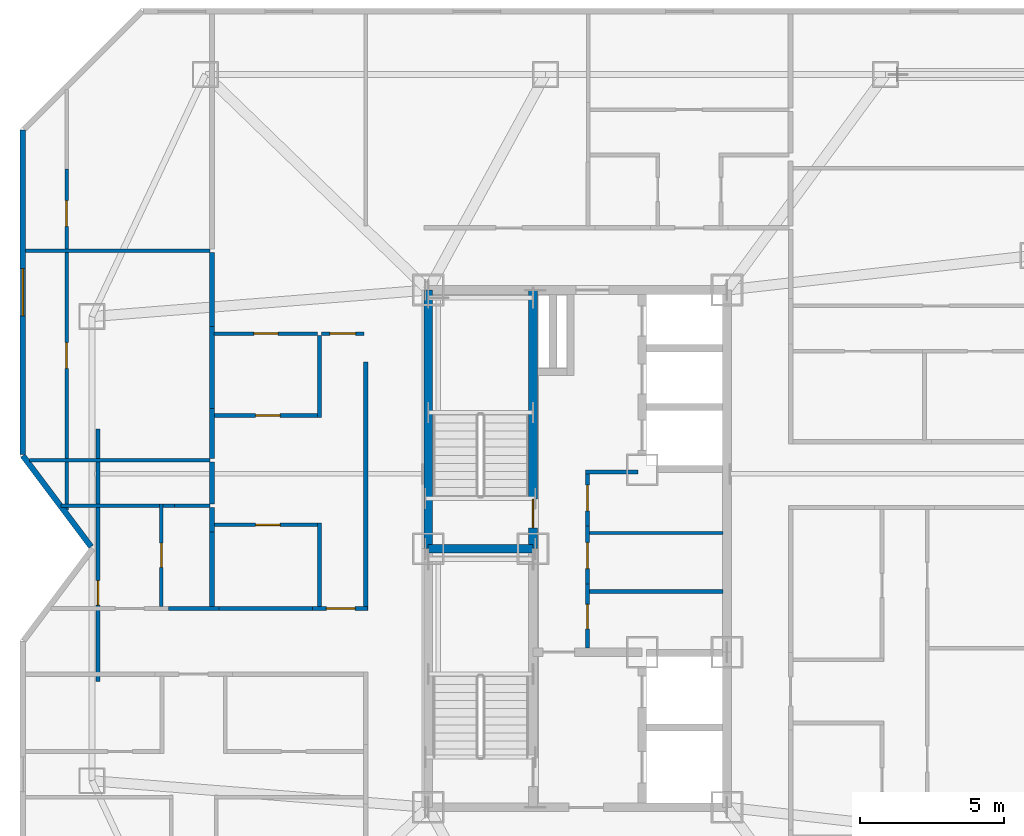
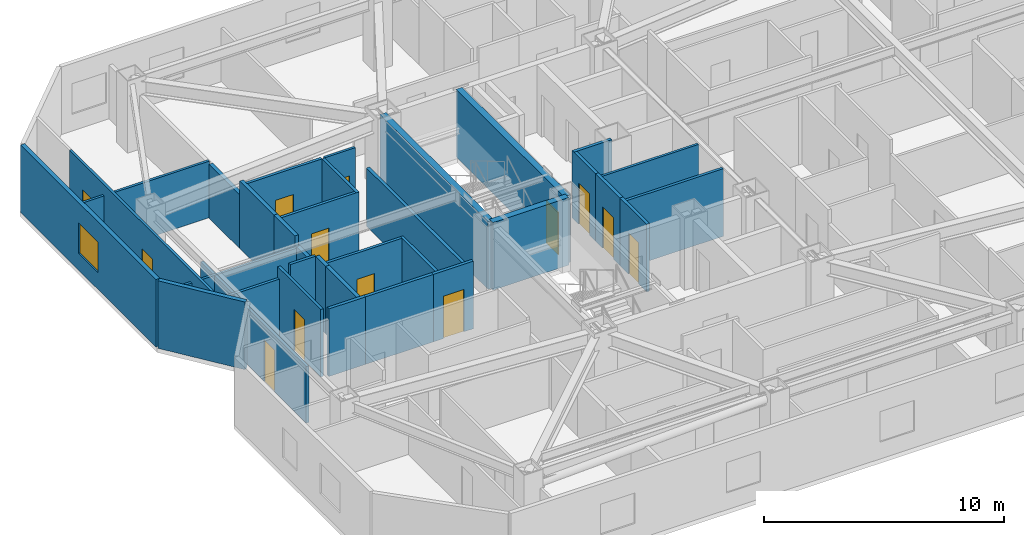
# One storey, part 7 of 11: 34 walls, 13 doors, 1 window, 14 openings.
"""IFC4 building model written with IfcOpenShell, lengths in metres."""

from ifc_helpers import new_model, si_unit, direction, frame, frame_2d, origin, place, context, subcontext, project, spatial, rectangle, extrude, material, layer, layer_set, type_object, element, fill, save


model = new_model("IFC4")

# Units and contexts
model_context = context("Model", 3, precision=1e-05, world=origin(), true_north=direction((0.0, 1.0)))
body_context = subcontext(model_context, "Body", "Model", "MODEL_VIEW")
ifc_project = project(units=[si_unit("LENGTHUNIT", "METRE"), si_unit("AREAUNIT", "SQUARE_METRE"), si_unit("VOLUMEUNIT", "CUBIC_METRE"), si_unit("PLANEANGLEUNIT", "RADIAN"), si_unit("MASSUNIT", "GRAM", prefix="KILO")], contexts=[model_context])

# Site, building, storey
site_placement = place(None, origin())
site = spatial("IfcSite", under=ifc_project, at=site_placement, CompositionType="ELEMENT")
building_placement = place(site_placement, origin())
building = spatial("IfcBuilding", under=site, at=building_placement, Name="Khamvora Tower", CompositionType="ELEMENT")
storey_placement = place(building_placement, frame((0.0, 0.0, 174.14990234375)))
storey = spatial("IfcBuildingStorey", under=building, at=storey_placement, Name="L44", CompositionType="ELEMENT", Elevation=174.14990234375)

# Wall
ifc_material_1 = material(Name="Concrete C50/60", Category="concrete")
ifc_layer_1 = layer(ifc_material_1, 0.300048828125)
ifc_layer_set_1 = layer_set([ifc_layer_1], Name="Concrete C50/60")
wall_type_1 = type_object("IfcWallType", Name="WAL-CORE-300", PredefinedType="SHEAR", material=ifc_layer_set_1)
wall_1_placement = place(storey_placement, frame((29.0, 28.0, 0.0), z_axis=(0.0, 0.0, 1.0), x_axis=(0.0, 1.0, 0.0)))
element("IfcWall", 1, at=wall_1_placement, inside=storey, type_object=wall_type_1, Name="L44 central core west north wall", PredefinedType="SHEAR", context=body_context, shape_type="SweptSolid", body=[
    extrude(rectangle(XDim=9.0, YDim=0.300048828125, at=frame_2d((4.5, 0.0))), origin(), (0.0, 0.0, 1.0), 3.43017578125),
])

# Wall, opening, door
wall_2_placement = place(storey_placement, frame((32.64990234375, 28.0, 0.0), z_axis=(0.0, 0.0, 1.0), x_axis=(0.0, 1.0, 0.0)))
wall_2 = element("IfcWall", 2, at=wall_2_placement, inside=storey, type_object=wall_type_1, Name="L44 central core stair north spine wall", PredefinedType="SHEAR", context=body_context, shape_type="SweptSolid", body=[
    extrude(rectangle(XDim=9.0, YDim=0.300048828125, at=frame_2d((4.5, 0.0))), origin(), (0.0, 0.0, 1.0), 3.43017578125),
])
opening_1_placement = place(wall_2_placement, frame((0.719970703125, 0.0, 0.0)))
opening_1 = element("IfcOpeningElement", 3, at=opening_1_placement, cuts=wall_2, Name="Opening D-ST1", PredefinedType="OPENING", context=body_context, shape_type="SweptSolid", body=[
    extrude(rectangle(XDim=1.0, YDim=2.14990234375, at=frame_2d((0.5, 1.074951171875))), frame((0.0, 0.159912109375, 0.0), z_axis=(0.0, -1.0, 0.0), x_axis=(1.0, 0.0, 0.0)), (0.0, 0.0, 1.0), 0.320068359375),
])
ifc_material_2 = material(Name="Powder-Coated Steel and Hardwood Leaf", Category="steel")
door_type_1 = type_object("IfcDoorType", Name="DOR-STAIR-1000", OperationType="NOTDEFINED", PredefinedType="DOOR", material=ifc_material_2)
door_1_placement = place(opening_1_placement, origin())
door_1 = element("IfcDoor", 4, at=door_1_placement, inside=storey, type_object=door_type_1, Name="L44 exit stair ST-02 fire door", OperationType="SINGLE_SWING_RIGHT", OverallHeight=2.14990234375, OverallWidth=1.0, PredefinedType="DOOR", context=body_context, shape_type="SweptSolid", body=[
    extrude(rectangle(XDim=1.0, YDim=2.14990234375, at=frame_2d((0.5, 1.074951171875))), frame((0.0, 0.02490234375, 0.0), z_axis=(0.0, -1.0, 0.0), x_axis=(1.0, 0.0, 0.0)), (0.0, 0.0, 1.0), 0.050048828125),
])
fill(opening_1, door_1)

# Wall
wall_3_placement = place(storey_placement, frame((29.0, 28.0, 0.0), z_axis=(0.0, 0.0, 1.0), x_axis=(1.0, 0.0, 0.0)))
element("IfcWall", 5, at=wall_3_placement, inside=storey, type_object=wall_type_1, Name="L44 central core stair cross wall", PredefinedType="SHEAR", context=body_context, shape_type="SweptSolid", body=[
    extrude(rectangle(XDim=3.64990234375, YDim=0.300048828125, at=frame_2d((1.824951171875, 0.0))), origin(), (0.0, 0.0, 1.0), 3.43017578125),
])

# Wall, opening, door
ifc_material_3 = material(Name="Fire-Rated Drywall and Steel Stud", Category="steel")
ifc_layer_2 = layer(ifc_material_3, 0.14990234375)
ifc_layer_set_2 = layer_set([ifc_layer_2], Name="Fire-Rated Drywall and Steel Stud")
wall_type_2 = type_object("IfcWallType", Name="WAL-CORR-150", PredefinedType="STANDARD", material=ifc_layer_set_2)
wall_4_placement = place(storey_placement, frame((34.544921875, 26.763916015625, 0.0), z_axis=(0.0, 0.0, 1.0), x_axis=(0.0, -1.0, 0.0)))
wall_4 = element("IfcWall", 6, at=wall_4_placement, inside=storey, type_object=wall_type_2, Name="L44 interior partition wall 001", PredefinedType="STANDARD", context=body_context, shape_type="SweptSolid", body=[
    extrude(rectangle(XDim=2.219970703125, YDim=0.14990234375, at=frame_2d((1.10986328125, 0.0))), origin(), (0.0, 0.0, 1.0), 3.43017578125),
])
opening_2_placement = place(wall_4_placement, frame((0.7060546875, 0.0, 0.0)))
opening_2 = element("IfcOpeningElement", 7, at=opening_2_placement, cuts=wall_4, Name="Opening D-WC1", PredefinedType="OPENING", context=body_context, shape_type="SweptSolid", body=[
    extrude(rectangle(XDim=0.85009765625, YDim=2.10009765625, at=frame_2d((0.425048828125, 1.050048828125))), frame((0.0, 0.0849609375, 0.0), z_axis=(0.0, -1.0, 0.0), x_axis=(1.0, 0.0, 0.0)), (0.0, 0.0, 1.0), 0.169921875),
])
door_type_2 = type_object("IfcDoorType", Name="DOR-WET-850", OperationType="NOTDEFINED", PredefinedType="DOOR", material=ifc_material_2)
door_2_placement = place(opening_2_placement, origin())
door_2 = element("IfcDoor", 8, at=door_2_placement, inside=storey, type_object=door_type_2, Name="L44 interior door PHL-CS1", OperationType="SINGLE_SWING_LEFT", OverallHeight=2.10009765625, OverallWidth=0.85009765625, PredefinedType="DOOR", context=body_context, shape_type="SweptSolid", body=[
    extrude(rectangle(XDim=0.85009765625, YDim=2.10009765625, at=frame_2d((0.425048828125, 1.050048828125))), frame((0.0, 0.02490234375, 0.0), z_axis=(0.0, -1.0, 0.0), x_axis=(1.0, 0.0, 0.0)), (0.0, 0.0, 1.0), 0.050048828125),
])
fill(opening_2, door_2)

wall_5_placement = place(storey_placement, frame((34.544921875, 28.7939453125, 0.0), z_axis=(0.0, 0.0, 1.0), x_axis=(0.0, -1.0, 0.0)))
wall_5 = element("IfcWall", 9, at=wall_5_placement, inside=storey, type_object=wall_type_2, Name="L44 interior partition wall 002", PredefinedType="STANDARD", context=body_context, shape_type="SweptSolid", body=[
    extrude(rectangle(XDim=2.030029296875, YDim=0.14990234375, at=frame_2d((1.01513671875, 0.0))), origin(), (0.0, 0.0, 1.0), 3.43017578125),
])
opening_3_placement = place(wall_5_placement, frame((0.5859375, 0.0, 0.0)))
opening_3 = element("IfcOpeningElement", 10, at=opening_3_placement, cuts=wall_5, Name="Opening D-RM1", PredefinedType="OPENING", context=body_context, shape_type="SweptSolid", body=[
    extrude(rectangle(XDim=0.89990234375, YDim=2.10009765625, at=frame_2d((0.449951171875, 1.050048828125))), frame((0.0, 0.0849609375, 0.0), z_axis=(0.0, -1.0, 0.0), x_axis=(1.0, 0.0, 0.0)), (0.0, 0.0, 1.0), 0.169921875),
])
door_type_3 = type_object("IfcDoorType", Name="DOR-ROOM-900", OperationType="NOTDEFINED", PredefinedType="DOOR", material=ifc_material_2)
door_3_placement = place(opening_3_placement, origin())
door_3 = element("IfcDoor", 11, at=door_3_placement, inside=storey, type_object=door_type_3, Name="L44 interior door PHL-CS2", OperationType="SINGLE_SWING_RIGHT", OverallHeight=2.10009765625, OverallWidth=0.89990234375, PredefinedType="DOOR", context=body_context, shape_type="SweptSolid", body=[
    extrude(rectangle(XDim=0.89990234375, YDim=2.10009765625, at=frame_2d((0.449951171875, 1.050048828125))), frame((0.0, 0.02490234375, 0.0), z_axis=(0.0, -1.0, 0.0), x_axis=(1.0, 0.0, 0.0)), (0.0, 0.0, 1.0), 0.050048828125),
])
fill(opening_3, door_3)

# Wall
wall_6_placement = place(storey_placement, frame((36.300048828125, 30.6650390625, 0.0), z_axis=(0.0, 0.0, 1.0), x_axis=(-1.0, 0.0, 0.0)))
element("IfcWall", 12, at=wall_6_placement, inside=storey, type_object=wall_type_2, Name="L44 interior partition wall 003", PredefinedType="STANDARD", context=body_context, shape_type="SweptSolid", body=[
    extrude(rectangle(XDim=1.820068359375, YDim=0.14990234375, at=frame_2d((0.91015625, 0.0))), origin(), (0.0, 0.0, 1.0), 3.43017578125),
])

# Wall, opening, door
wall_7_placement = place(storey_placement, frame((34.544921875, 30.72998046875, 0.0), z_axis=(0.0, 0.0, 1.0), x_axis=(0.0, -1.0, 0.0)))
wall_7 = element("IfcWall", 13, at=wall_7_placement, inside=storey, type_object=wall_type_2, Name="L44 interior partition wall 004", PredefinedType="STANDARD", context=body_context, shape_type="SweptSolid", body=[
    extrude(rectangle(XDim=1.93603515625, YDim=0.14990234375, at=frame_2d((0.968017578125, 0.0))), origin(), (0.0, 0.0, 1.0), 3.43017578125),
])
opening_4_placement = place(wall_7_placement, frame((0.51806640625, 0.0, 0.0)))
opening_4 = element("IfcOpeningElement", 14, at=opening_4_placement, cuts=wall_7, Name="Opening D-RM1", PredefinedType="OPENING", context=body_context, shape_type="SweptSolid", body=[
    extrude(rectangle(XDim=0.89990234375, YDim=2.10009765625, at=frame_2d((0.449951171875, 1.050048828125))), frame((0.0, 0.0849609375, 0.0), z_axis=(0.0, -1.0, 0.0), x_axis=(1.0, 0.0, 0.0)), (0.0, 0.0, 1.0), 0.169921875),
])
door_4_placement = place(opening_4_placement, origin())
door_4 = element("IfcDoor", 15, at=door_4_placement, inside=storey, type_object=door_type_3, Name="L44 interior door PHL-CS3", OperationType="SINGLE_SWING_LEFT", OverallHeight=2.10009765625, OverallWidth=0.89990234375, PredefinedType="DOOR", context=body_context, shape_type="SweptSolid", body=[
    extrude(rectangle(XDim=0.89990234375, YDim=2.10009765625, at=frame_2d((0.449951171875, 1.050048828125))), frame((0.0, 0.02490234375, 0.0), z_axis=(0.0, -1.0, 0.0), x_axis=(1.0, 0.0, 0.0)), (0.0, 0.0, 1.0), 0.050048828125),
])
fill(opening_4, door_4)

# Wall
wall_8_placement = place(storey_placement, frame((19.965087890625, 25.9150390625, 0.0), z_axis=(0.0, 0.0, 1.0), x_axis=(1.0, 0.0, 0.0)))
element("IfcWall", 16, at=wall_8_placement, inside=storey, type_object=wall_type_2, Name="L44 interior partition wall 015", PredefinedType="STANDARD", context=body_context, shape_type="SweptSolid", body=[
    extrude(rectangle(XDim=1.759033203125, YDim=0.14990234375, at=frame_2d((0.87939453125, 0.0))), origin(), (0.0, 0.0, 1.0), 3.43017578125),
])

# Wall, opening, door
wall_9_placement = place(storey_placement, frame((24.97607421875, 25.9150390625, 0.0), z_axis=(0.0, 0.0, 1.0), x_axis=(1.0, 0.0, 0.0)))
wall_9 = element("IfcWall", 17, at=wall_9_placement, inside=storey, type_object=wall_type_2, Name="L44 interior partition wall 016", PredefinedType="STANDARD", context=body_context, shape_type="SweptSolid", body=[
    extrude(rectangle(XDim=1.923828125, YDim=0.14990234375, at=frame_2d((0.9619140625, 0.0))), origin(), (0.0, 0.0, 1.0), 3.43017578125),
])
opening_5_placement = place(wall_9_placement, frame((0.48291015625, 0.0, 0.0)))
opening_5 = element("IfcOpeningElement", 18, at=opening_5_placement, cuts=wall_9, Name="Opening D-U1", PredefinedType="OPENING", context=body_context, shape_type="SweptSolid", body=[
    extrude(rectangle(XDim=1.0, YDim=2.14990234375, at=frame_2d((0.5, 1.074951171875))), frame((0.0, 0.0849609375, 0.0), z_axis=(0.0, -1.0, 0.0), x_axis=(1.0, 0.0, 0.0)), (0.0, 0.0, 1.0), 0.169921875),
])
door_type_4 = type_object("IfcDoorType", Name="DOR-UNIT-1000", OperationType="NOTDEFINED", PredefinedType="DOOR", material=ifc_material_2)
door_5_placement = place(opening_5_placement, origin())
door_5 = element("IfcDoor", 19, at=door_5_placement, inside=storey, type_object=door_type_4, Name="L44 interior door COR-44WCH", OperationType="SINGLE_SWING_LEFT", OverallHeight=2.14990234375, OverallWidth=1.0, PredefinedType="DOOR", context=body_context, shape_type="SweptSolid", body=[
    extrude(rectangle(XDim=1.0, YDim=2.14990234375, at=frame_2d((0.5, 1.074951171875))), frame((0.0, 0.02490234375, 0.0), z_axis=(0.0, -1.0, 0.0), x_axis=(1.0, 0.0, 0.0)), (0.0, 0.0, 1.0), 0.050048828125),
])
fill(opening_5, door_5)

# Walls
wall_10_placement = place(storey_placement, frame((26.8349609375, 25.85205078125, 0.0), z_axis=(0.0, 0.0, 1.0), x_axis=(0.0, 1.0, 0.0)))
element("IfcWall", 20, at=wall_10_placement, inside=storey, type_object=wall_type_2, Name="L44 interior partition wall 017", PredefinedType="STANDARD", context=body_context, shape_type="SweptSolid", body=[
    extrude(rectangle(XDim=8.64794921875, YDim=0.14990234375, at=frame_2d((4.323974609375, 0.0))), origin(), (0.0, 0.0, 1.0), 2.961181640625),
])
wall_11_placement = place(storey_placement, frame((21.72412109375, 25.9150390625, 0.0), z_axis=(0.0, 0.0, 1.0), x_axis=(1.0, 0.0, 0.0)))
element("IfcWall", 21, at=wall_11_placement, inside=storey, type_object=wall_type_2, Name="L44 interior partition wall 018", PredefinedType="STANDARD", context=body_context, shape_type="SweptSolid", body=[
    extrude(rectangle(XDim=3.251953125, YDim=0.14990234375, at=frame_2d((1.6259765625, 0.0))), origin(), (0.0, 0.0, 1.0), 3.43017578125),
])
ifc_material_4 = material(Name="Acoustic Double-Stud Fire Wall", Category="gypsum")
ifc_layer_3 = layer(ifc_material_4, 0.179931640625)
ifc_layer_set_3 = layer_set([ifc_layer_3], Name="Acoustic Double-Stud Fire Wall")
wall_type_3 = type_object("IfcWallType", Name="WAL-CORR-180", PredefinedType="STANDARD", material=ifc_layer_set_3)
wall_12_placement = place(storey_placement, frame((21.47509765625, 31.010009765625, 0.0), z_axis=(0.0, 0.0, 1.0), x_axis=(0.0, -1.0, 0.0)))
element("IfcWall", 22, at=wall_12_placement, inside=storey, type_object=wall_type_3, Name="L44 interior partition wall 065", PredefinedType="STANDARD", context=body_context, shape_type="SweptSolid", body=[
    extrude(rectangle(XDim=1.449951171875, YDim=0.179931640625, at=frame_2d((0.72509765625, 0.0))), origin(), (0.0, 0.0, 1.0), 2.961181640625),
])
wall_13_placement = place(storey_placement, frame((21.47509765625, 29.429931640625, 0.0), z_axis=(0.0, 0.0, 1.0), x_axis=(0.0, -1.0, 0.0)))
element("IfcWall", 23, at=wall_13_placement, inside=storey, type_object=wall_type_3, Name="L44 interior partition wall 066", PredefinedType="STANDARD", context=body_context, shape_type="SweptSolid", body=[
    extrude(rectangle(XDim=0.848876953125, YDim=0.179931640625, at=frame_2d((0.42431640625, 0.0))), origin(), (0.0, 0.0, 1.0), 3.43017578125),
])
wall_14_placement = place(storey_placement, frame((21.47509765625, 28.5810546875, 0.0), z_axis=(0.0, 0.0, 1.0), x_axis=(0.0, -1.0, 0.0)))
element("IfcWall", 24, at=wall_14_placement, inside=storey, type_object=wall_type_3, Name="L44 interior partition wall 067", PredefinedType="STANDARD", context=body_context, shape_type="SweptSolid", body=[
    extrude(rectangle(XDim=2.60107421875, YDim=0.179931640625, at=frame_2d((1.300537109375, 0.0))), origin(), (0.0, 0.0, 1.0), 3.43017578125),
])
wall_15_placement = place(storey_placement, frame((21.47509765625, 32.87890625, 0.0), z_axis=(0.0, 0.0, 1.0), x_axis=(0.0, -1.0, 0.0)))
element("IfcWall", 25, at=wall_15_placement, inside=storey, type_object=wall_type_3, Name="L44 interior partition wall 069", PredefinedType="STANDARD", context=body_context, shape_type="SweptSolid", body=[
    extrude(rectangle(XDim=1.739013671875, YDim=0.179931640625, at=frame_2d((0.86962890625, 0.0))), origin(), (0.0, 0.0, 1.0), 3.43017578125),
])
wall_16_placement = place(storey_placement, frame((21.47509765625, 35.72900390625, 0.0), z_axis=(0.0, 0.0, 1.0), x_axis=(0.0, -1.0, 0.0)))
element("IfcWall", 26, at=wall_16_placement, inside=storey, type_object=wall_type_3, Name="L44 interior partition wall 070", PredefinedType="STANDARD", context=body_context, shape_type="SweptSolid", body=[
    extrude(rectangle(XDim=2.85009765625, YDim=0.179931640625, at=frame_2d((1.425048828125, 0.0))), origin(), (0.0, 0.0, 1.0), 3.43017578125),
])
wall_17_placement = place(storey_placement, frame((21.47509765625, 38.298095703125, 0.0), z_axis=(0.0, 0.0, 1.0), x_axis=(0.0, -1.0, 0.0)))
element("IfcWall", 27, at=wall_17_placement, inside=storey, type_object=wall_type_3, Name="L44 interior partition wall 071", PredefinedType="STANDARD", context=body_context, shape_type="SweptSolid", body=[
    extrude(rectangle(XDim=2.569091796875, YDim=0.179931640625, at=frame_2d((1.28466796875, 0.0))), origin(), (0.0, 0.0, 1.0), 2.72509765625),
])
ifc_material_5 = material(Name="Precast concrete C40/50", Category="concrete")
ifc_layer_4 = layer(ifc_material_5, 0.199951171875)
ifc_layer_set_4 = layer_set([ifc_layer_4], Name="Precast concrete C40/50")
wall_type_4 = type_object("IfcWallType", Name="WAL-EXT-200", PredefinedType="STANDARD", material=ifc_layer_set_4)
wall_18_placement = place(storey_placement, frame((17.27294921875, 28.069091796875, 0.0), z_axis=(0.0, 0.0, 1.0), x_axis=(-0.600029630681, 0.799977776132, 0.0)))
element("IfcWall", 28, at=wall_18_placement, inside=storey, type_object=wall_type_4, Name="L44 exterior facade wall 04.1", PredefinedType="STANDARD", context=body_context, shape_type="SweptSolid", body=[
    extrude(rectangle(XDim=3.954833984375, YDim=0.199951171875, at=frame_2d((1.9775390625, 0.0))), origin(), (0.0, 0.0, 1.0), 3.43017578125),
])

# Wall, opening, window
wall_19_placement = place(storey_placement, frame((14.89990234375, 31.283935546875, 0.0), z_axis=(0.0, 0.0, 1.0), x_axis=(0.0, 1.0, 0.0)))
wall_19 = element("IfcWall", 29, at=wall_19_placement, inside=storey, type_object=wall_type_4, Name="L44 exterior facade wall 05.1", PredefinedType="STANDARD", context=body_context, shape_type="SweptSolid", body=[
    extrude(rectangle(XDim=11.275146484375, YDim=0.199951171875, at=frame_2d((5.6376953125, 0.0))), origin(), (0.0, 0.0, 1.0), 3.43017578125),
])
opening_6_placement = place(wall_19_placement, frame((4.81201171875, 0.0, 0.85009765625)))
opening_6 = element("IfcOpeningElement", 30, at=opening_6_placement, cuts=wall_19, Name="Opening WN-06", PredefinedType="OPENING", context=body_context, shape_type="SweptSolid", body=[
    extrude(rectangle(XDim=1.64990234375, YDim=1.550048828125, at=frame_2d((0.824951171875, 0.77490234375))), frame((0.0, 0.10986328125, 0.0), z_axis=(0.0, -1.0, 0.0), x_axis=(1.0, 0.0, 0.0)), (0.0, 0.0, 1.0), 0.219970703125),
])
ifc_material_6 = material(Name="Low-E Laminated Double Glazing", Category="glass")
window_type = type_object("IfcWindowType", Name="WIN-VIS-1650x1550", PartitioningType="SINGLE_PANEL", PredefinedType="WINDOW", material=ifc_material_6)
window_placement = place(opening_6_placement, origin())
window = element("IfcWindow", 31, at=window_placement, inside=storey, type_object=window_type, Name="L44 vision window 05.1.01", OverallHeight=1.550048828125, OverallWidth=1.64990234375, PartitioningType="SINGLE_PANEL", PredefinedType="WINDOW", context=body_context, shape_type="SweptSolid", body=[
    extrude(rectangle(XDim=1.64990234375, YDim=1.550048828125, at=frame_2d((0.824951171875, 0.77490234375))), frame((0.0, 0.030029296875, 0.0), z_axis=(0.0, -1.0, 0.0), x_axis=(1.0, 0.0, 0.0)), (0.0, 0.0, 1.0), 0.06005859375),
])
fill(opening_6, window)

# Wall
ifc_material_7 = material(Name="Gypsum Plasterboard Partition", Category="gypsum")
ifc_layer_5 = layer(ifc_material_7, 0.1201171875)
ifc_layer_set_5 = layer_set([ifc_layer_5], Name="Gypsum Plasterboard Partition")
wall_type_5 = type_object("IfcWallType", Name="WAL-PART-120", PredefinedType="PARTITIONING", material=ifc_layer_set_5)
wall_20_placement = place(storey_placement, frame((34.612060546875, 28.544921875, 0.0), z_axis=(0.0, 0.0, 1.0), x_axis=(1.0, 0.0, 0.0)))
element("IfcWall", 32, at=wall_20_placement, inside=storey, type_object=wall_type_5, Name="L44 interior partition wall 006", PredefinedType="PARTITIONING", context=body_context, shape_type="SweptSolid", body=[
    extrude(rectangle(XDim=4.64404296875, YDim=0.1201171875, at=frame_2d((2.322021484375, 0.0))), origin(), (0.0, 0.0, 1.0), 3.43017578125),
])

# Wall, openings, doors
wall_21_placement = place(storey_placement, frame((16.425048828125, 41.2119140625, 0.0), z_axis=(0.0, 0.0, 1.0), x_axis=(0.0, -1.0, 0.0)))
wall_21 = element("IfcWall", 33, at=wall_21_placement, inside=storey, type_object=wall_type_5, Name="L44 interior partition wall 062", PredefinedType="PARTITIONING", context=body_context, shape_type="SweptSolid", body=[
    extrude(rectangle(XDim=11.85888671875, YDim=0.1201171875, at=frame_2d((5.929443359375, 0.0))), origin(), (0.0, 0.0, 1.0), 3.43017578125),
])
opening_7_placement = place(wall_21_placement, frame((6.04296875, 0.0, 0.0)))
opening_7 = element("IfcOpeningElement", 34, at=opening_7_placement, cuts=wall_21, Name="Opening D-RM1", PredefinedType="OPENING", context=body_context, shape_type="SweptSolid", body=[
    extrude(rectangle(XDim=0.89990234375, YDim=2.10009765625, at=frame_2d((0.449951171875, 1.050048828125))), frame((0.0, 0.070068359375, 0.0), z_axis=(0.0, -1.0, 0.0), x_axis=(1.0, 0.0, 0.0)), (0.0, 0.0, 1.0), 0.14013671875),
])
opening_8_placement = place(wall_21_placement, frame((1.09912109375, 0.0, 0.0)))
opening_8 = element("IfcOpeningElement", 35, at=opening_8_placement, cuts=wall_21, Name="Opening D-RM1", PredefinedType="OPENING", context=body_context, shape_type="SweptSolid", body=[
    extrude(rectangle(XDim=0.89990234375, YDim=2.10009765625, at=frame_2d((0.449951171875, 1.050048828125))), frame((0.0, 0.070068359375, 0.0), z_axis=(0.0, -1.0, 0.0), x_axis=(1.0, 0.0, 0.0)), (0.0, 0.0, 1.0), 0.14013671875),
])
door_6_placement = place(opening_7_placement, origin())
door_6 = element("IfcDoor", 36, at=door_6_placement, inside=storey, type_object=door_type_3, Name="L44 interior door 44WBH-44WBR1", OperationType="SINGLE_SWING_RIGHT", OverallHeight=2.10009765625, OverallWidth=0.89990234375, PredefinedType="DOOR", context=body_context, shape_type="SweptSolid", body=[
    extrude(rectangle(XDim=0.89990234375, YDim=2.10009765625, at=frame_2d((0.449951171875, 1.050048828125))), frame((0.0, 0.02490234375, 0.0), z_axis=(0.0, -1.0, 0.0), x_axis=(1.0, 0.0, 0.0)), (0.0, 0.0, 1.0), 0.050048828125),
])
fill(opening_7, door_6)
door_7_placement = place(opening_8_placement, origin())
door_7 = element("IfcDoor", 37, at=door_7_placement, inside=storey, type_object=door_type_3, Name="L44 interior door 44WBH-44WBR2", OperationType="SINGLE_SWING_RIGHT", OverallHeight=2.10009765625, OverallWidth=0.89990234375, PredefinedType="DOOR", context=body_context, shape_type="SweptSolid", body=[
    extrude(rectangle(XDim=0.89990234375, YDim=2.10009765625, at=frame_2d((0.449951171875, 1.050048828125))), frame((0.0, 0.02490234375, 0.0), z_axis=(0.0, -1.0, 0.0), x_axis=(1.0, 0.0, 0.0)), (0.0, 0.0, 1.0), 0.050048828125),
])
fill(opening_8, door_7)

# Walls
wall_22_placement = place(storey_placement, frame((15.134033203125, 31.074951171875, 0.0), z_axis=(0.0, 0.0, 1.0), x_axis=(1.0, 0.0, 0.0)))
element("IfcWall", 38, at=wall_22_placement, inside=storey, type_object=wall_type_5, Name="L44 interior partition wall 063", PredefinedType="PARTITIONING", context=body_context, shape_type="SweptSolid", body=[
    extrude(rectangle(XDim=6.27587890625, YDim=0.1201171875, at=frame_2d((3.137939453125, 0.0))), origin(), (0.0, 0.0, 1.0), 2.8759765625),
])
wall_23_placement = place(storey_placement, frame((14.991943359375, 38.363037109375, 0.0), z_axis=(0.0, 0.0, 1.0), x_axis=(1.0, 0.0, 0.0)))
element("IfcWall", 39, at=wall_23_placement, inside=storey, type_object=wall_type_5, Name="L44 interior partition wall 068", PredefinedType="PARTITIONING", context=body_context, shape_type="SweptSolid", body=[
    extrude(rectangle(XDim=6.41796875, YDim=0.1201171875, at=frame_2d((3.208984375, 0.0))), origin(), (0.0, 0.0, 1.0), 2.8759765625),
])

# Wall, opening, door
wall_24_placement = place(storey_placement, frame((25.2900390625, 35.47998046875, 0.0), z_axis=(0.0, 0.0, 1.0), x_axis=(1.0, 0.0, 0.0)))
wall_24 = element("IfcWall", 40, at=wall_24_placement, inside=storey, type_object=wall_type_5, Name="L44 interior partition wall 077", PredefinedType="PARTITIONING", context=body_context, shape_type="SweptSolid", body=[
    extrude(rectangle(XDim=1.47998046875, YDim=0.1201171875, at=frame_2d((0.739990234375, 0.0))), origin(), (0.0, 0.0, 1.0), 3.43017578125),
])
opening_9_placement = place(wall_24_placement, frame((0.2900390625, 0.0, 0.0)))
opening_9 = element("IfcOpeningElement", 41, at=opening_9_placement, cuts=wall_24, Name="Opening D-RM1", PredefinedType="OPENING", context=body_context, shape_type="SweptSolid", body=[
    extrude(rectangle(XDim=0.89990234375, YDim=2.10009765625, at=frame_2d((0.449951171875, 1.050048828125))), frame((0.0, 0.070068359375, 0.0), z_axis=(0.0, -1.0, 0.0), x_axis=(1.0, 0.0, 0.0)), (0.0, 0.0, 1.0), 0.14013671875),
])
door_8_placement = place(opening_9_placement, origin())
door_8 = element("IfcDoor", 42, at=door_8_placement, inside=storey, type_object=door_type_3, Name="L44 interior door 44WCH-44WCR1", OperationType="SINGLE_SWING_LEFT", OverallHeight=2.10009765625, OverallWidth=0.89990234375, PredefinedType="DOOR", context=body_context, shape_type="SweptSolid", body=[
    extrude(rectangle(XDim=0.89990234375, YDim=2.10009765625, at=frame_2d((0.449951171875, 1.050048828125))), frame((0.0, 0.02490234375, 0.0), z_axis=(0.0, -1.0, 0.0), x_axis=(1.0, 0.0, 0.0)), (0.0, 0.0, 1.0), 0.050048828125),
])
fill(opening_9, door_8)

# Wall
ifc_material_8 = material(Name="Moisture-Resistant Plasterboard Partition", Category="gypsum")
ifc_layer_6 = layer(ifc_material_8, 0.135009765625)
ifc_layer_set_6 = layer_set([ifc_layer_6], Name="Moisture-Resistant Plasterboard Partition")
wall_type_6 = type_object("IfcWallType", Name="WAL-WET-135", PredefinedType="PARTITIONING", material=ifc_layer_set_6)
wall_25_placement = place(storey_placement, frame((34.612060546875, 26.514892578125, 0.0), z_axis=(0.0, 0.0, 1.0), x_axis=(1.0, 0.0, 0.0)))
element("IfcWall", 43, at=wall_25_placement, inside=storey, type_object=wall_type_6, Name="L44 interior partition wall 005", PredefinedType="PARTITIONING", context=body_context, shape_type="SweptSolid", body=[
    extrude(rectangle(XDim=4.64404296875, YDim=0.135009765625, at=frame_2d((2.322021484375, 0.0))), origin(), (0.0, 0.0, 1.0), 3.43017578125),
])

# Wall, opening, door
wall_26_placement = place(storey_placement, frame((17.51611328125, 23.3798828125, 0.0), z_axis=(0.0, 0.0, 1.0), x_axis=(0.0, 1.0, 0.0)))
wall_26 = element("IfcWall", 44, at=wall_26_placement, inside=storey, type_object=wall_type_6, Name="L44 interior partition wall 058", PredefinedType="PARTITIONING", context=body_context, shape_type="SweptSolid", body=[
    extrude(rectangle(XDim=8.780029296875, YDim=0.135009765625, at=frame_2d((4.39013671875, 0.0))), origin(), (0.0, 0.0, 1.0), 2.8759765625),
])
opening_10_placement = place(wall_26_placement, frame((2.655029296875, 0.0, 0.0)))
opening_10 = element("IfcOpeningElement", 45, at=opening_10_placement, cuts=wall_26, Name="Opening D-WC1", PredefinedType="OPENING", context=body_context, shape_type="SweptSolid", body=[
    extrude(rectangle(XDim=0.85009765625, YDim=2.10009765625, at=frame_2d((0.425048828125, 1.050048828125))), frame((0.0, 0.077392578125, 0.0), z_axis=(0.0, -1.0, 0.0), x_axis=(1.0, 0.0, 0.0)), (0.0, 0.0, 1.0), 0.155029296875),
])
door_9_placement = place(opening_10_placement, origin())
door_9 = element("IfcDoor", 46, at=door_9_placement, inside=storey, type_object=door_type_2, Name="L44 interior door 44WBH-44WBB", OperationType="SINGLE_SWING_LEFT", OverallHeight=2.10009765625, OverallWidth=0.85009765625, PredefinedType="DOOR", context=body_context, shape_type="SweptSolid", body=[
    extrude(rectangle(XDim=0.85009765625, YDim=2.10009765625, at=frame_2d((0.425048828125, 1.050048828125))), frame((0.0, 0.02490234375, 0.0), z_axis=(0.0, -1.0, 0.0), x_axis=(1.0, 0.0, 0.0)), (0.0, 0.0, 1.0), 0.050048828125),
])
fill(opening_10, door_9)

# Walls
wall_27_placement = place(storey_placement, frame((20.180908203125, 29.4951171875, 0.0), z_axis=(0.0, 0.0, 1.0), x_axis=(-1.0, 0.0, 0.0)))
element("IfcWall", 47, at=wall_27_placement, inside=storey, type_object=wall_type_6, Name="L44 interior partition wall 059", PredefinedType="PARTITIONING", context=body_context, shape_type="SweptSolid", body=[
    extrude(rectangle(XDim=3.948974609375, YDim=0.135009765625, at=frame_2d((1.974609375, 0.0))), origin(), (0.0, 0.0, 1.0), 2.8759765625),
])
wall_28_placement = place(storey_placement, frame((21.409912109375, 29.4951171875, 0.0), z_axis=(0.0, 0.0, 1.0), x_axis=(-1.0, 0.0, 0.0)))
element("IfcWall", 48, at=wall_28_placement, inside=storey, type_object=wall_type_6, Name="L44 interior partition wall 060", PredefinedType="PARTITIONING", context=body_context, shape_type="SweptSolid", body=[
    extrude(rectangle(XDim=1.22900390625, YDim=0.135009765625, at=frame_2d((0.614501953125, 0.0))), origin(), (0.0, 0.0, 1.0), 3.43017578125),
])

# Wall, opening, door
wall_29_placement = place(storey_placement, frame((19.716064453125, 29.56005859375, 0.0), z_axis=(0.0, 0.0, 1.0), x_axis=(0.0, -1.0, 0.0)))
wall_29 = element("IfcWall", 49, at=wall_29_placement, inside=storey, type_object=wall_type_6, Name="L44 interior partition wall 061", PredefinedType="PARTITIONING", context=body_context, shape_type="SweptSolid", body=[
    extrude(rectangle(XDim=3.580078125, YDim=0.135009765625, at=frame_2d((1.7900390625, 0.0))), origin(), (0.0, 0.0, 1.0), 3.43017578125),
])
opening_11_placement = place(wall_29_placement, frame((1.364990234375, 0.0, 0.0)))
opening_11 = element("IfcOpeningElement", 50, at=opening_11_placement, cuts=wall_29, Name="Opening D-RM2", PredefinedType="OPENING", context=body_context, shape_type="SweptSolid", body=[
    extrude(rectangle(XDim=0.85009765625, YDim=2.10009765625, at=frame_2d((0.425048828125, 1.050048828125))), frame((0.0, 0.077392578125, 0.0), z_axis=(0.0, -1.0, 0.0), x_axis=(1.0, 0.0, 0.0)), (0.0, 0.0, 1.0), 0.155029296875),
])
door_type_5 = type_object("IfcDoorType", Name="DOR-ROOM-850", OperationType="NOTDEFINED", PredefinedType="DOOR", material=ifc_material_2)
door_10_placement = place(opening_11_placement, origin())
door_10 = element("IfcDoor", 51, at=door_10_placement, inside=storey, type_object=door_type_5, Name="L44 interior door 44WBH-44WBK", OperationType="SINGLE_SWING_RIGHT", OverallHeight=2.10009765625, OverallWidth=0.85009765625, PredefinedType="DOOR", context=body_context, shape_type="SweptSolid", body=[
    extrude(rectangle(XDim=0.85009765625, YDim=2.10009765625, at=frame_2d((0.425048828125, 1.050048828125))), frame((0.0, 0.02490234375, 0.0), z_axis=(0.0, -1.0, 0.0), x_axis=(1.0, 0.0, 0.0)), (0.0, 0.0, 1.0), 0.050048828125),
])
fill(opening_11, door_10)

# Wall
wall_30_placement = place(storey_placement, frame((25.22509765625, 25.97998046875, 0.0), z_axis=(0.0, 0.0, 1.0), x_axis=(0.0, 1.0, 0.0)))
element("IfcWall", 52, at=wall_30_placement, inside=storey, type_object=wall_type_6, Name="L44 interior partition wall 073", PredefinedType="PARTITIONING", context=body_context, shape_type="SweptSolid", body=[
    extrude(rectangle(XDim=2.9150390625, YDim=0.135009765625, at=frame_2d((1.45751953125, 0.0))), origin(), (0.0, 0.0, 1.0), 3.43017578125),
])

# Wall, opening, door
wall_31_placement = place(storey_placement, frame((25.2900390625, 28.830078125, 0.0), z_axis=(0.0, 0.0, 1.0), x_axis=(-1.0, 0.0, 0.0)))
wall_31 = element("IfcWall", 53, at=wall_31_placement, inside=storey, type_object=wall_type_6, Name="L44 interior partition wall 074", PredefinedType="PARTITIONING", context=body_context, shape_type="SweptSolid", body=[
    extrude(rectangle(XDim=3.733154296875, YDim=0.135009765625, at=frame_2d((1.86669921875, 0.0))), origin(), (0.0, 0.0, 1.0), 3.43017578125),
])
opening_12_placement = place(wall_31_placement, frame((1.44189453125, 0.0, 0.0)))
opening_12 = element("IfcOpeningElement", 54, at=opening_12_placement, cuts=wall_31, Name="Opening D-WC1", PredefinedType="OPENING", context=body_context, shape_type="SweptSolid", body=[
    extrude(rectangle(XDim=0.85009765625, YDim=2.10009765625, at=frame_2d((0.425048828125, 1.050048828125))), frame((0.0, 0.077392578125, 0.0), z_axis=(0.0, -1.0, 0.0), x_axis=(1.0, 0.0, 0.0)), (0.0, 0.0, 1.0), 0.155029296875),
])
door_11_placement = place(opening_12_placement, origin())
door_11 = element("IfcDoor", 55, at=door_11_placement, inside=storey, type_object=door_type_2, Name="L44 interior door 44WCH-44WCB", OperationType="SINGLE_SWING_LEFT", OverallHeight=2.10009765625, OverallWidth=0.85009765625, PredefinedType="DOOR", context=body_context, shape_type="SweptSolid", body=[
    extrude(rectangle(XDim=0.85009765625, YDim=2.10009765625, at=frame_2d((0.425048828125, 1.050048828125))), frame((0.0, 0.02490234375, 0.0), z_axis=(0.0, -1.0, 0.0), x_axis=(1.0, 0.0, 0.0)), (0.0, 0.0, 1.0), 0.050048828125),
])
fill(opening_12, door_11)

wall_32_placement = place(storey_placement, frame((21.556884765625, 32.6298828125, 0.0), z_axis=(0.0, 0.0, 1.0), x_axis=(1.0, 0.0, 0.0)))
wall_32 = element("IfcWall", 56, at=wall_32_placement, inside=storey, type_object=wall_type_6, Name="L44 interior partition wall 075", PredefinedType="PARTITIONING", context=body_context, shape_type="SweptSolid", body=[
    extrude(rectangle(XDim=3.733154296875, YDim=0.135009765625, at=frame_2d((1.86669921875, 0.0))), origin(), (0.0, 0.0, 1.0), 3.43017578125),
])
opening_13_placement = place(wall_32_placement, frame((1.44189453125, 0.0, 0.0)))
opening_13 = element("IfcOpeningElement", 57, at=opening_13_placement, cuts=wall_32, Name="Opening D-RM2", PredefinedType="OPENING", context=body_context, shape_type="SweptSolid", body=[
    extrude(rectangle(XDim=0.85009765625, YDim=2.10009765625, at=frame_2d((0.425048828125, 1.050048828125))), frame((0.0, 0.077392578125, 0.0), z_axis=(0.0, -1.0, 0.0), x_axis=(1.0, 0.0, 0.0)), (0.0, 0.0, 1.0), 0.155029296875),
])
door_12_placement = place(opening_13_placement, origin())
door_12 = element("IfcDoor", 58, at=door_12_placement, inside=storey, type_object=door_type_5, Name="L44 interior door 44WCH-44WCK", OperationType="SINGLE_SWING_RIGHT", OverallHeight=2.10009765625, OverallWidth=0.85009765625, PredefinedType="DOOR", context=body_context, shape_type="SweptSolid", body=[
    extrude(rectangle(XDim=0.85009765625, YDim=2.10009765625, at=frame_2d((0.425048828125, 1.050048828125))), frame((0.0, 0.02490234375, 0.0), z_axis=(0.0, -1.0, 0.0), x_axis=(1.0, 0.0, 0.0)), (0.0, 0.0, 1.0), 0.050048828125),
])
fill(opening_13, door_12)

# Wall
wall_33_placement = place(storey_placement, frame((25.22509765625, 32.56494140625, 0.0), z_axis=(0.0, 0.0, 1.0), x_axis=(0.0, 1.0, 0.0)))
element("IfcWall", 59, at=wall_33_placement, inside=storey, type_object=wall_type_6, Name="L44 interior partition wall 076", PredefinedType="PARTITIONING", context=body_context, shape_type="SweptSolid", body=[
    extrude(rectangle(XDim=2.85009765625, YDim=0.135009765625, at=frame_2d((1.425048828125, 0.0))), origin(), (0.0, 0.0, 1.0), 3.43017578125),
])

# Wall, opening, door
wall_34_placement = place(storey_placement, frame((21.556884765625, 35.47998046875, 0.0), z_axis=(0.0, 0.0, 1.0), x_axis=(1.0, 0.0, 0.0)))
wall_34 = element("IfcWall", 60, at=wall_34_placement, inside=storey, type_object=wall_type_6, Name="L44 interior partition wall 078", PredefinedType="PARTITIONING", context=body_context, shape_type="SweptSolid", body=[
    extrude(rectangle(XDim=3.60302734375, YDim=0.135009765625, at=frame_2d((1.801513671875, 0.0))), origin(), (0.0, 0.0, 1.0), 3.43017578125),
])
opening_14_placement = place(wall_34_placement, frame((1.376953125, 0.0, 0.0)))
opening_14 = element("IfcOpeningElement", 61, at=opening_14_placement, cuts=wall_34, Name="Opening D-RM2", PredefinedType="OPENING", context=body_context, shape_type="SweptSolid", body=[
    extrude(rectangle(XDim=0.85009765625, YDim=2.10009765625, at=frame_2d((0.425048828125, 1.050048828125))), frame((0.0, 0.077392578125, 0.0), z_axis=(0.0, -1.0, 0.0), x_axis=(1.0, 0.0, 0.0)), (0.0, 0.0, 1.0), 0.155029296875),
])
door_13_placement = place(opening_14_placement, origin())
door_13 = element("IfcDoor", 62, at=door_13_placement, inside=storey, type_object=door_type_5, Name="L44 interior door 44WCK-44WCR1", OperationType="SINGLE_SWING_RIGHT", OverallHeight=2.10009765625, OverallWidth=0.85009765625, PredefinedType="DOOR", context=body_context, shape_type="SweptSolid", body=[
    extrude(rectangle(XDim=0.85009765625, YDim=2.10009765625, at=frame_2d((0.425048828125, 1.050048828125))), frame((0.0, 0.02490234375, 0.0), z_axis=(0.0, -1.0, 0.0), x_axis=(1.0, 0.0, 0.0)), (0.0, 0.0, 1.0), 0.050048828125),
])
fill(opening_14, door_13)

save(model, "model.ifc")
